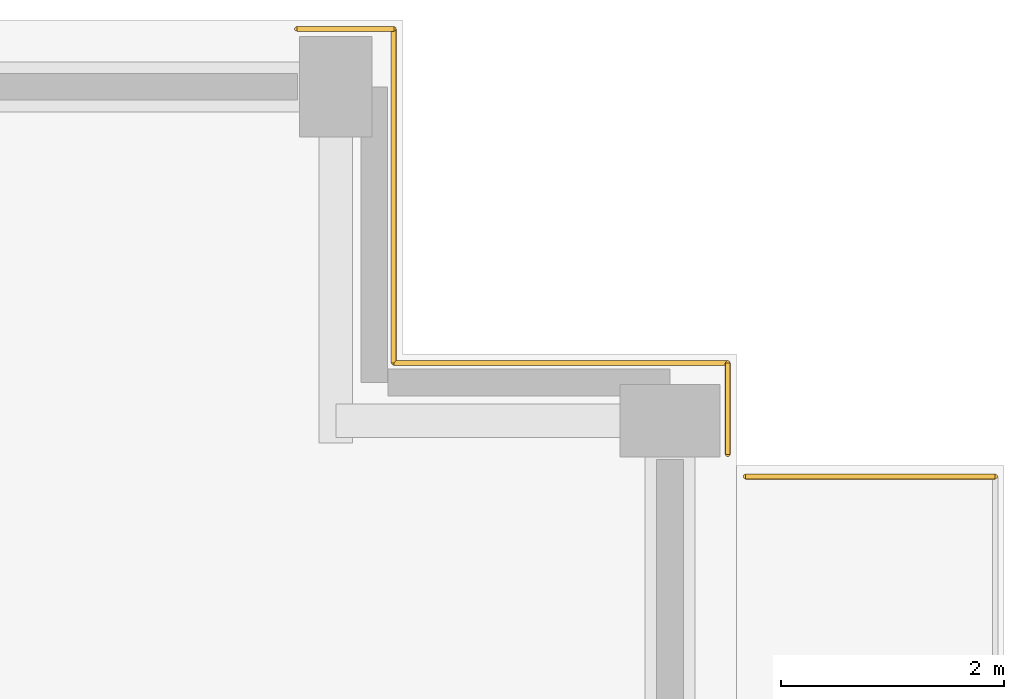
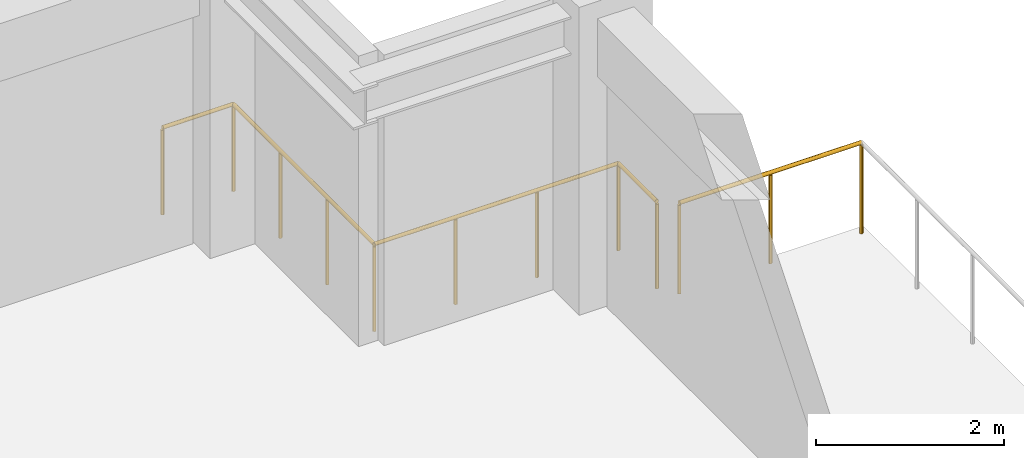
# One storey, part 9 of 9: 5 railings.
"""IFC4 building model written with IfcOpenShell, lengths in metres."""

from ifc_helpers import new_model, si_unit, direction, frame, origin, origin_2d, place, context, subcontext, project, spatial, circle, extrude, material, type_object, element, save


model = new_model("IFC4")

# Units and contexts
model_context = context("Model", 3, precision=1e-05, world=origin(), true_north=direction((0.0, 1.0)))
body_context = subcontext(model_context, "Body", "Model", "MODEL_VIEW")
ifc_project = project(units=[si_unit("LENGTHUNIT", "METRE"), si_unit("AREAUNIT", "SQUARE_METRE"), si_unit("VOLUMEUNIT", "CUBIC_METRE"), si_unit("PLANEANGLEUNIT", "RADIAN"), si_unit("MASSUNIT", "GRAM", prefix="KILO")], contexts=[model_context])

# Site, building, storey
site_placement = place(None, origin())
site = spatial("IfcSite", under=ifc_project, at=site_placement, CompositionType="ELEMENT")
building_placement = place(site_placement, origin())
building = spatial("IfcBuilding", under=site, at=building_placement, Name="Sulina Concourse Tower", CompositionType="ELEMENT")
storey_placement = place(building_placement, frame((0.0, 0.0, 297.0)))
storey = spatial("IfcBuildingStorey", under=building, at=storey_placement, Name="L72", CompositionType="ELEMENT", Elevation=297.0)

# Railings
ifc_material_1 = material(Name="Galvanised steel railing", Category="steel")
railing_type_1 = type_object("IfcRailingType", Name="Core Stair Steel Guardrail 1150mm", PredefinedType="GUARDRAIL", material=ifc_material_1)
railing_1_placement = place(storey_placement, frame((38.25, 45.919921875, 0.0)))
element("IfcRailing", 1, at=railing_1_placement, inside=storey, type_object=railing_type_1, Name="L72 perimeter edge safety guardrail NE1", PredefinedType="GUARDRAIL", context=body_context, shape_type="SweptSolid", body=[
    extrude(circle(Radius=0.02392578125, at=origin_2d()), frame((0.0, 0.0, 1.1259765625), z_axis=(1.0, 0.0, 0.0), x_axis=(0.0, 1.0, 0.0)), (0.0, 0.0, 1.0), 0.8701171875),
    extrude(circle(Radius=0.02099609375, at=origin_2d()), origin(), (0.0, 0.0, 1.0), 1.101806640625),
    extrude(circle(Radius=0.02099609375, at=origin_2d()), frame((0.8701171875, 0.0, 0.0)), (0.0, 0.0, 1.0), 1.101806640625),
])
railing_2_placement = place(storey_placement, frame((39.1201171875, 45.919921875, 0.0)))
element("IfcRailing", 2, at=railing_2_placement, inside=storey, type_object=railing_type_1, Name="L72 perimeter edge safety guardrail NE2", PredefinedType="GUARDRAIL", context=body_context, shape_type="SweptSolid", body=[
    extrude(circle(Radius=0.02392578125, at=origin_2d()), frame((0.0, 0.0, 1.1259765625), z_axis=(0.0, -1.0, 0.0), x_axis=(1.0, 0.0, 0.0)), (0.0, 0.0, 1.0), 3.0),
    extrude(circle(Radius=0.02099609375, at=origin_2d()), origin(), (0.0, 0.0, 1.0), 1.101806640625),
    extrude(circle(Radius=0.02099609375, at=origin_2d()), frame((0.0, -1.0, 0.0)), (0.0, 0.0, 1.0), 1.101806640625),
    extrude(circle(Radius=0.02099609375, at=origin_2d()), frame((0.0, -2.0, 0.0)), (0.0, 0.0, 1.0), 1.101806640625),
    extrude(circle(Radius=0.02099609375, at=origin_2d()), frame((0.0, -3.0, 0.0)), (0.0, 0.0, 1.0), 1.101806640625),
])
railing_3_placement = place(storey_placement, frame((39.1201171875, 42.919921875, 0.0)))
element("IfcRailing", 3, at=railing_3_placement, inside=storey, type_object=railing_type_1, Name="L72 perimeter edge safety guardrail NE3", PredefinedType="GUARDRAIL", context=body_context, shape_type="SweptSolid", body=[
    extrude(circle(Radius=0.02392578125, at=origin_2d()), frame((0.0, 0.0, 1.1259765625), z_axis=(1.0, 0.0, 0.0), x_axis=(0.0, 1.0, 0.0)), (0.0, 0.0, 1.0), 3.0),
    extrude(circle(Radius=0.02099609375, at=origin_2d()), origin(), (0.0, 0.0, 1.0), 1.101806640625),
    extrude(circle(Radius=0.02099609375, at=origin_2d()), frame((1.0, 0.0, 0.0)), (0.0, 0.0, 1.0), 1.101806640625),
    extrude(circle(Radius=0.02099609375, at=origin_2d()), frame((2.0, 0.0, 0.0)), (0.0, 0.0, 1.0), 1.101806640625),
    extrude(circle(Radius=0.02099609375, at=origin_2d()), frame((3.0, 0.0, 0.0)), (0.0, 0.0, 1.0), 1.101806640625),
])
railing_4_placement = place(storey_placement, frame((42.1201171875, 42.919921875, 0.0)))
element("IfcRailing", 4, at=railing_4_placement, inside=storey, type_object=railing_type_1, Name="L72 perimeter edge safety guardrail NE4", PredefinedType="GUARDRAIL", context=body_context, shape_type="SweptSolid", body=[
    extrude(circle(Radius=0.02392578125, at=origin_2d()), frame((0.0, 0.0, 1.1259765625), z_axis=(0.0, -1.0, 0.0), x_axis=(1.0, 0.0, 0.0)), (0.0, 0.0, 1.0), 0.81982421875),
    extrude(circle(Radius=0.02099609375, at=origin_2d()), origin(), (0.0, 0.0, 1.0), 1.101806640625),
    extrude(circle(Radius=0.02099609375, at=origin_2d()), frame((0.0, -0.81982421875, 0.0)), (0.0, 0.0, 1.0), 1.101806640625),
])
ifc_material_2 = material(Name="Laminated glass balustrade and steel post", Category="steel")
railing_type_2 = type_object("IfcRailingType", Name="Terrace & Sky-Pool Laminated Guardrail 1200mm", PredefinedType="GUARDRAIL", material=ifc_material_2)
railing_5_placement = place(storey_placement, frame((42.280029296875, 41.89990234375, 0.0)))
element("IfcRailing", 5, at=railing_5_placement, inside=storey, type_object=railing_type_2, Name="L72 terrace guardrail TER-CR2-3", PredefinedType="GUARDRAIL", context=body_context, shape_type="SweptSolid", body=[
    extrude(circle(Radius=0.02490234375, at=origin_2d()), frame((0.0, 0.0, 1.1748046875), z_axis=(1.0, 0.0, 0.0), x_axis=(0.0, 1.0, 0.0)), (0.0, 0.0, 1.0), 2.239990234375),
    extrude(circle(Radius=0.02099609375, at=origin_2d()), origin(), (0.0, 0.0, 1.0), 1.14990234375),
    extrude(circle(Radius=0.02099609375, at=origin_2d()), frame((1.1201171875, 0.0, 0.0)), (0.0, 0.0, 1.0), 1.14990234375),
    extrude(circle(Radius=0.02099609375, at=origin_2d()), frame((2.239990234375, 0.0, 0.0)), (0.0, 0.0, 1.0), 1.14990234375),
])

save(model, "model.ifc")
